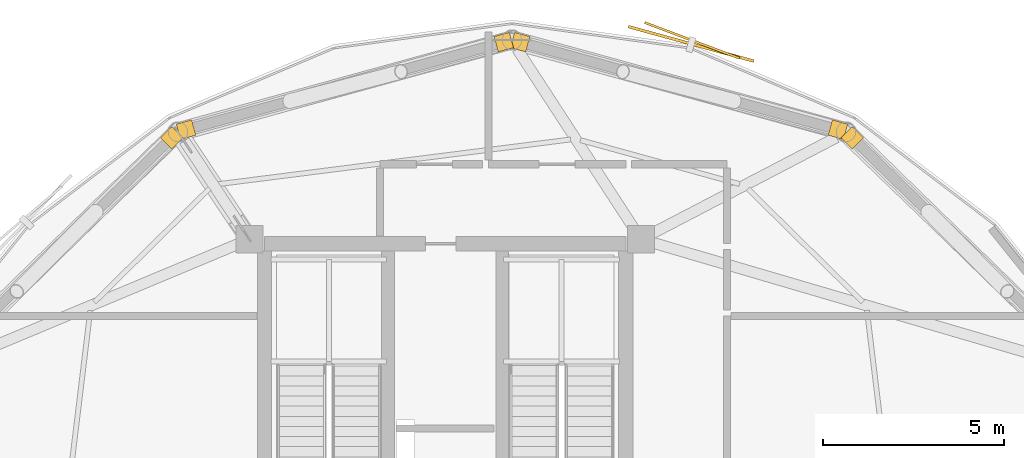
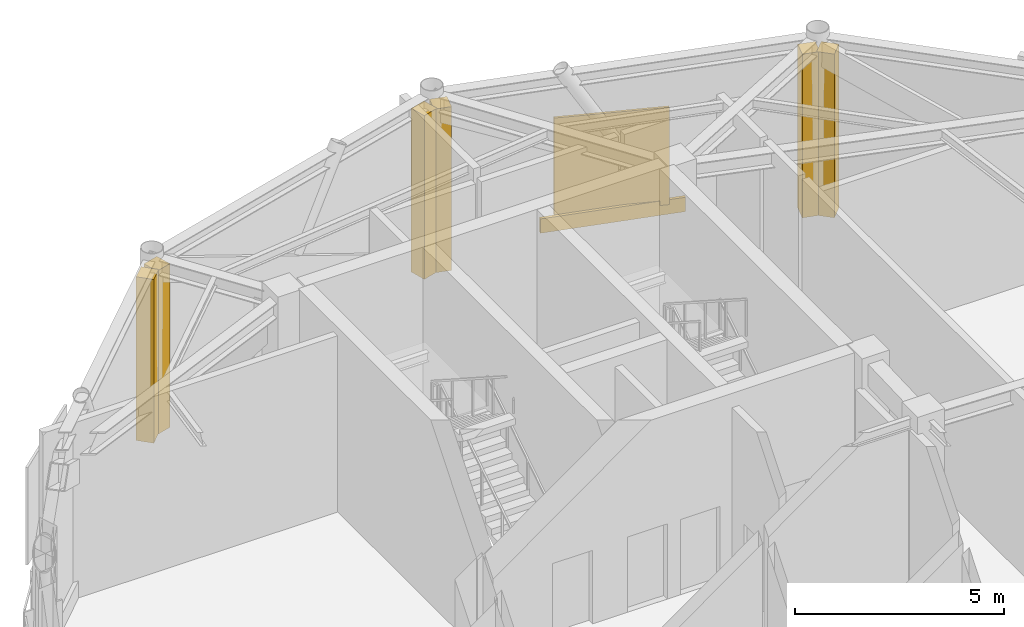
# One storey, part 10 of 10: 7 coverings, 1 shading device.
"""IFC4 building model written with IfcOpenShell, lengths in metres."""

import ifcopenshell
import ifcopenshell.guid

model = None  # the IFC model being written
_history = None  # IfcOwnerHistory: only IFC2X3 demands one
_inside = {}  # id of a spatial element -> (the spatial element, [elements in it])
_under = {}  # id of a project, library or spatial element -> (it, [spatial elements below it])
_declared = {}  # id of a project -> (the project, [libraries it declares])
_typed = {}  # id of a type object -> (the type object, [elements of that type])
_made_of = {}  # id of a material, layer set ... -> (it, [elements and type objects made of it])


def new_model(schema):
    """Start an empty IFC model of exactly this schema.

    Asked for "IFC4X3", IfcOpenShell would pick the latest addendum, in which some entities
    have other attributes; the version numbers below select the first issue.
    IFC2X3 requires an IfcOwnerHistory on every rooted entity: one is made here for all.
    """
    global model, _history
    if schema == "IFC4X3":
        model = ifcopenshell.file(schema_version=(4, 3, 0, 0))
    else:
        model = ifcopenshell.file(schema=schema)
    _inside.clear()
    _under.clear()
    _declared.clear()
    _typed.clear()
    _made_of.clear()
    _history = None
    if model.schema == "IFC2X3":
        org = make("IfcOrganization", Name="unknown")
        user = make(
            "IfcPersonAndOrganization",
            ThePerson=make("IfcPerson", FamilyName="unknown"),
            TheOrganization=org,
        )
        app = make(
            "IfcApplication",
            ApplicationDeveloper=org,
            Version="unknown",
            ApplicationFullName="unknown",
            ApplicationIdentifier="unknown",
        )
        _history = make(
            "IfcOwnerHistory",
            OwningUser=user,
            OwningApplication=app,
            ChangeAction="ADDED",
            CreationDate=0,
        )
    return model


def make(cls, **values):
    """One entity of the class cls with the attributes given. An attribute that is None is left unset."""
    return model.create_entity(
        cls, **{name: value for name, value in values.items() if value is not None}
    )


def rooted(cls, **values):
    """An entity with a GlobalId (a new one), such as an element, a storey or a relation."""
    return make(cls, GlobalId=ifcopenshell.guid.new(), OwnerHistory=_history, **values)


def si_unit(unit_type, name, prefix=None):
    """IfcSIUnit, for example si_unit("LENGTHUNIT", "METRE", prefix="MILLI")."""
    return make("IfcSIUnit", UnitType=unit_type, Prefix=prefix, Name=name)


def assignment(units):
    """IfcUnitAssignment: the units of a project."""
    return None if units is None else make("IfcUnitAssignment", Units=units)


def point(xyz):
    """IfcCartesianPoint."""
    return None if xyz is None else make("IfcCartesianPoint", Coordinates=xyz)


def direction(xyz):
    """IfcDirection."""
    return None if xyz is None else make("IfcDirection", DirectionRatios=xyz)


def frame(location, z_axis=None, x_axis=None):
    """IfcAxis2Placement3D, a coordinate frame: its origin and axes. An axis left out is left unset."""
    return make(
        "IfcAxis2Placement3D",
        Location=point(location),
        Axis=direction(z_axis),
        RefDirection=direction(x_axis),
    )


def frame_2d(location, x_axis=None):
    """IfcAxis2Placement2D, a coordinate frame in the plane: its origin and x axis."""
    return make(
        "IfcAxis2Placement2D", Location=point(location), RefDirection=direction(x_axis)
    )


def origin():
    """The frame at (0, 0, 0) with its axes left unset."""
    return frame((0.0, 0.0, 0.0))


def origin_2d():
    """The frame at (0, 0) in the plane with its x axis left unset."""
    return frame_2d((0.0, 0.0))


def place(relative_to, where):
    """IfcLocalPlacement: puts the frame where relative to a parent placement (None: the world)."""
    return make(
        "IfcLocalPlacement", PlacementRelTo=relative_to, RelativePlacement=where
    )


def context(
    kind, dimensions, precision=None, world=None, true_north=None, identifier=None
):
    """IfcGeometricRepresentationContext, for example the 3D "Model" context."""
    return make(
        "IfcGeometricRepresentationContext",
        ContextIdentifier=identifier,
        ContextType=kind,
        CoordinateSpaceDimension=dimensions,
        Precision=precision,
        WorldCoordinateSystem=world,
        TrueNorth=true_north,
    )


def subcontext(parent, identifier, kind, view, scale=None):
    """IfcGeometricRepresentationSubContext, for example "Body" below "Model"."""
    return make(
        "IfcGeometricRepresentationSubContext",
        ContextIdentifier=identifier,
        ContextType=kind,
        ParentContext=parent,
        TargetScale=scale,
        TargetView=view,
    )


def project(units=None, contexts=None):
    """IfcProject with its units and contexts."""
    return rooted(
        "IfcProject",
        Name="project",
        RepresentationContexts=contexts,
        UnitsInContext=assignment(units),
    )


def spatial(cls, under=None, at=None, **own):
    """A site, building, storey or space (cls), placed at a placement, below another one or the project."""
    s = rooted(cls, ObjectPlacement=at, **own)
    if under is not None:
        _under.setdefault(under.id(), (under, []))[1].append(s)
    return s


def profile(cls, at=None, kind="AREA", **sizes):
    """A parametric profile (cls). Its sizes go by their IFC names, for example OverallWidth=200.0."""
    return make(cls, ProfileType=kind, Position=at, **sizes)


def rectangle(**sizes):
    """IfcRectangleProfileDef."""
    return profile("IfcRectangleProfileDef", **sizes)


def extrude(swept, where, along, depth):
    """IfcExtrudedAreaSolid: the profile swept, set in the frame where, extruded along a direction by depth."""
    return make(
        "IfcExtrudedAreaSolid",
        SweptArea=swept,
        Position=where,
        ExtrudedDirection=direction(along),
        Depth=depth,
    )


def shape(context_of_items, identifier, shape_type, items):
    """IfcShapeRepresentation: the items that make up one representation, for example the "Body"."""
    return make(
        "IfcShapeRepresentation",
        ContextOfItems=context_of_items,
        RepresentationIdentifier=identifier,
        RepresentationType=shape_type,
        Items=items,
    )


def source(mapping_origin, context_of_items, identifier, shape_type, items):
    """IfcRepresentationMap: a shape defined once, which mapped items show again and again."""
    return make(
        "IfcRepresentationMap",
        MappingOrigin=mapping_origin,
        MappedRepresentation=shape(context_of_items, identifier, shape_type, items),
    )


def transform(
    local_origin,
    x_axis=None,
    y_axis=None,
    z_axis=None,
    scale=None,
    scale2=None,
    scale3=None,
    uniform=True,
):
    """IfcCartesianTransformationOperator3D, or its non-uniform kind. x_axis, y_axis, z_axis: its Axis1, 2, 3."""
    if uniform:
        return make(
            "IfcCartesianTransformationOperator3D",
            Axis1=direction(x_axis),
            Axis2=direction(y_axis),
            LocalOrigin=point(local_origin),
            Scale=scale,
            Axis3=direction(z_axis),
        )
    return make(
        "IfcCartesianTransformationOperator3DnonUniform",
        Axis1=direction(x_axis),
        Axis2=direction(y_axis),
        LocalOrigin=point(local_origin),
        Scale=scale,
        Axis3=direction(z_axis),
        Scale2=scale2,
        Scale3=scale3,
    )


def mapped(mapping_source, mapping_target):
    """IfcMappedItem: shows the shape of a source again, moved by a transform."""
    return make(
        "IfcMappedItem", MappingSource=mapping_source, MappingTarget=mapping_target
    )


def material(Name=None, Category=None):
    """IfcMaterial."""
    return make("IfcMaterial", Name=Name, Category=Category)


def layer(
    of_material, thickness, ventilated=None, Name=None, Category=None, Priority=None
):
    """IfcMaterialLayer: one layer of a wall or slab, of a material (None: an air gap)."""
    return make(
        "IfcMaterialLayer",
        Material=of_material,
        LayerThickness=thickness,
        IsVentilated=ventilated,
        Name=Name,
        Category=Category,
        Priority=Priority,
    )


def layer_set(layers, Name=None):
    """IfcMaterialLayerSet."""
    return make("IfcMaterialLayerSet", MaterialLayers=layers, LayerSetName=Name)


def made_of(thing, what):
    """Note that an element or type object is made of a material, layer set ...; save() writes the relation."""
    if what is not None:
        _made_of.setdefault(what.id(), (what, []))[1].append(thing)
    return thing


def type_object(cls, material=None, **own):
    """A type object (cls), such as IfcWallType, which elements share."""
    return made_of(rooted(cls, **own), material)


def type_shapes(of_type, sources):
    """Give a type object the sources (RepresentationMaps) that its elements show as mapped items."""
    of_type.RepresentationMaps = sources


def element(
    cls,
    number,
    at=None,
    inside=None,
    cuts=None,
    type_object=None,
    material=None,
    context=None,
    identifier="Body",
    shape_type=None,
    held_by="IfcProductDefinitionShape",
    body=None,
    shapes=None,
    **own,
):
    """One element of the class cls, such as IfcWall. Its Tag is "e" and its number.

    at: its placement. inside: the storey or other place that contains it. cuts: it is an
    opening in that element (IfcRelVoidsElement). A single representation is given by context,
    identifier, shape_type and body (its items); several are given by shapes. held_by: the class
    of the entity that holds the representations. save() writes the other relations.
    """
    e = rooted(cls, Tag="e%d" % number, ObjectPlacement=at, **own)
    if body is not None:
        shapes = [shape(context, identifier, shape_type, body)]
    if shapes is not None:
        e.Representation = make(held_by, Representations=shapes)
    if inside is not None:
        _inside.setdefault(inside.id(), (inside, []))[1].append(e)
    if cuts is not None:
        rooted(
            "IfcRelVoidsElement", RelatingBuildingElement=cuts, RelatedOpeningElement=e
        )
    if type_object is not None:
        _typed.setdefault(type_object.id(), (type_object, []))[1].append(e)
    return made_of(e, material)


def aggregate(whole, parts):
    """IfcRelAggregates: a whole, such as a stair, and the parts it consists of."""
    return rooted("IfcRelAggregates", RelatingObject=whole, RelatedObjects=parts)


def save(model, path):
    """Write the relations noted so far, then the file.

    IfcRelAggregates (storeys below a building ...), IfcRelContainedInSpatialStructure (elements
    in a storey), IfcRelDefinesByType, IfcRelAssociatesMaterial and IfcRelDeclares: one each for
    every whole, place, type object, material and project.
    """
    for whole, parts in _under.values():
        aggregate(whole, parts)
    for where, things in _inside.values():
        rooted(
            "IfcRelContainedInSpatialStructure",
            RelatedElements=things,
            RelatingStructure=where,
        )
    for kind, things in _typed.values():
        rooted("IfcRelDefinesByType", RelatedObjects=things, RelatingType=kind)
    for what, things in _made_of.values():
        rooted("IfcRelAssociatesMaterial", RelatedObjects=things, RelatingMaterial=what)
    for by, libraries in _declared.values():
        rooted("IfcRelDeclares", RelatingContext=by, RelatedDefinitions=libraries)
    model.write(path)


model = new_model("IFC4")

# Units and contexts
model_context = context("Model", 3, precision=1e-05, world=origin(), true_north=direction((0.0, 1.0)))
body_context = subcontext(model_context, "Body", "Model", "MODEL_VIEW")
ifc_project = project(units=[si_unit("LENGTHUNIT", "METRE"), si_unit("AREAUNIT", "SQUARE_METRE"), si_unit("VOLUMEUNIT", "CUBIC_METRE"), si_unit("PLANEANGLEUNIT", "RADIAN"), si_unit("MASSUNIT", "GRAM", prefix="KILO")], contexts=[model_context])

# Site, building, storey
site_placement = place(None, origin())
site = spatial("IfcSite", under=ifc_project, at=site_placement, CompositionType="ELEMENT")
building_placement = place(site_placement, origin())
building = spatial("IfcBuilding", under=site, at=building_placement, Name="Varnakorn Sky Granary", CompositionType="ELEMENT")
storey_placement = place(building_placement, frame((0.0, 0.0, 240.0)))
storey = spatial("IfcBuildingStorey", under=building, at=storey_placement, Name="L61", CompositionType="ELEMENT", Elevation=240.0)

# Covering
ifc_material = material(Name="Anodised Bronze Aluminium Alloy 6063-T6", Category="aluminium")
ifc_layer = layer(ifc_material, 0.050048828125, Name="Anodised Bronze Aluminium Alloy 6063-T6")
ifc_layer_set = layer_set([ifc_layer], Name="Anodised Bronze Aluminium Alloy 6063-T6")
covering_type = type_object("IfcCoveringType", Name="CV-CLAD-50", PredefinedType="CLADDING", material=ifc_layer_set)
shared_shape_1 = source(origin(), body_context, "Body", "SweptSolid", [
    extrude(rectangle(XDim=3.60009765625, YDim=0.080078125, at=origin_2d()), origin(), (0.0, 0.0, 1.0), 0.419921875),
])
covering_placement = place(storey_placement, frame((9.808837890625, 18.02880859375, -0.330078125), z_axis=(0.0, 0.0, 1.0), x_axis=(-0.96419292417, 0.265201819339, 0.0)))
element("IfcCovering", 1, at=covering_placement, inside=storey, type_object=covering_type, Name="Bronze Slab-Edge Spandrel Cladding L61-03", PredefinedType="CLADDING", context=body_context, shape_type="MappedRepresentation", body=[
    mapped(shared_shape_1, transform((0.0, 0.0, 0.0), x_axis=(1.0, 0.0, 0.0), y_axis=(0.0, 1.0, 0.0), z_axis=(0.0, 0.0, 1.0), scale=1.0)),
])

# Shading device
shading_device_type = type_object("IfcShadingDeviceType", Name="SH-SCR-03", PredefinedType="USERDEFINED", material=ifc_material)
shared_shape_2 = source(origin(), body_context, "Body", "SweptSolid", [
    extrude(rectangle(XDim=2.800048828125, YDim=0.06494140625, at=origin_2d()), origin(), (0.0, 0.0, 1.0), 2.85009765625),
])
type_shapes(shading_device_type, [shared_shape_2])
shading_device_placement = place(storey_placement, frame((9.835205078125, 18.125244140625, -0.0400390625), z_axis=(0.0, 0.0, 1.0), x_axis=(-0.935881669279, 0.352314491765, 0.0)))
element("IfcShadingDevice", 2, at=shading_device_placement, inside=storey, type_object=shading_device_type, Name="Perforated Bronze Solar Screen Panel SCREEN L61-03", ObjectType="SCREEN", PredefinedType="USERDEFINED", context=body_context, shape_type="MappedRepresentation", body=[
    mapped(shared_shape_2, transform((0.0, 0.0, 0.0), x_axis=(1.0, 0.0, 0.0), y_axis=(0.0, 1.0, 0.0), z_axis=(0.0, 0.0, 1.0), scale=1.0)),
])

# Coverings
shared_shape_3 = source(origin(), body_context, "Body", "SweptSolid", [
    extrude(rectangle(XDim=0.43994140625, YDim=0.43994140625, at=origin_2d()), origin(), (0.0, 0.0, 1.0), 4.7900390625),
])
type_shapes(covering_type, [shared_shape_1, shared_shape_3])
for number, where, z_axis, x_axis, name in (
    (3, (14.26611328125, 15.42919921875, -0.02001953125), (0.0, 0.0, 1.0), (0.7165454746, -0.697540380788, 0.0), "Bronze Corner Pilaster Closure L61-P02-A"),
    (4, (5.076171875, 18.07763671875, -0.02001953125), (0.0, 0.0, 1.0), (0.964095404234, -0.265556117487, 0.0), "Bronze Corner Pilaster Closure L61-P03-A"),
    (5, (13.871826171875, 15.655029296875, -0.02001953125), (0.0, 0.0, 1.0), (0.964095404234, -0.265556117487, 0.0), "Bronze Corner Pilaster Closure L61-P03-B"),
    (6, (-4.171875, 15.655029296875, -0.02001953125), (0.0, 0.0, 1.0), (0.964095404234, 0.265556117487, 0.0), "Bronze Corner Pilaster Closure L61-P04-A"),
    (7, (4.623779296875, 18.07763671875, -0.02001953125), (0.0, 0.0, 1.0), (0.964095404234, 0.265556117487, 0.0), "Bronze Corner Pilaster Closure L61-P04-B"),
    (8, (-4.56591796875, 15.42919921875, -0.02001953125), (0.0, 0.0, 1.0), (0.7165454746, 0.697540380788, 0.0), "Bronze Corner Pilaster Closure L61-P05-B"),
):
    element("IfcCovering", number, at=place(storey_placement, frame(where, z_axis=z_axis, x_axis=x_axis)), inside=storey, type_object=covering_type, Name=name, PredefinedType="CLADDING", context=body_context, shape_type="MappedRepresentation", body=[
        mapped(shared_shape_3, transform((0.0, 0.0, 0.0), x_axis=(1.0, 0.0, 0.0), y_axis=(0.0, 1.0, 0.0), z_axis=(0.0, 0.0, 1.0), scale=1.0)),
    ])

save(model, "model.ifc")
